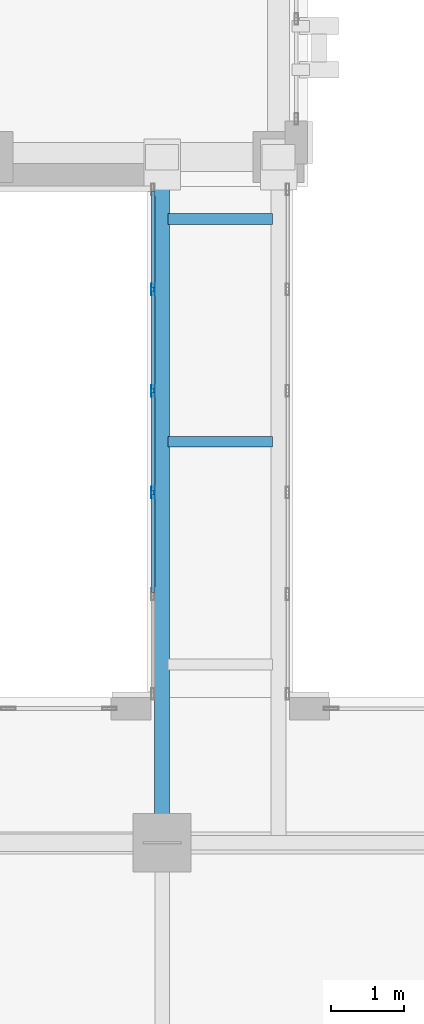
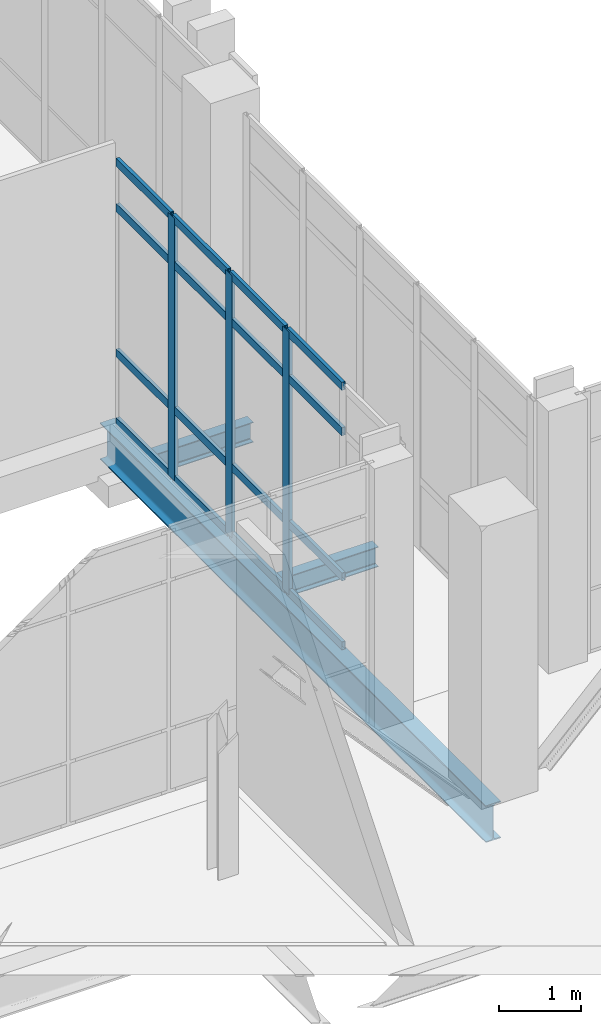
# One storey, part 18 of 193: 19 members, 3 beams, 1 element without a shape of its own.
"""IFC4 building model written with IfcOpenShell, lengths in metres."""

import ifcopenshell
import ifcopenshell.guid

model = None  # the IFC model being written
_history = None  # IfcOwnerHistory: only IFC2X3 demands one
_inside = {}  # id of a spatial element -> (the spatial element, [elements in it])
_under = {}  # id of a project, library or spatial element -> (it, [spatial elements below it])
_declared = {}  # id of a project -> (the project, [libraries it declares])
_typed = {}  # id of a type object -> (the type object, [elements of that type])
_made_of = {}  # id of a material, layer set ... -> (it, [elements and type objects made of it])


def new_model(schema):
    """Start an empty IFC model of exactly this schema.

    Asked for "IFC4X3", IfcOpenShell would pick the latest addendum, in which some entities
    have other attributes; the version numbers below select the first issue.
    IFC2X3 requires an IfcOwnerHistory on every rooted entity: one is made here for all.
    """
    global model, _history
    if schema == "IFC4X3":
        model = ifcopenshell.file(schema_version=(4, 3, 0, 0))
    else:
        model = ifcopenshell.file(schema=schema)
    _inside.clear()
    _under.clear()
    _declared.clear()
    _typed.clear()
    _made_of.clear()
    _history = None
    if model.schema == "IFC2X3":
        org = make("IfcOrganization", Name="unknown")
        user = make(
            "IfcPersonAndOrganization",
            ThePerson=make("IfcPerson", FamilyName="unknown"),
            TheOrganization=org,
        )
        app = make(
            "IfcApplication",
            ApplicationDeveloper=org,
            Version="unknown",
            ApplicationFullName="unknown",
            ApplicationIdentifier="unknown",
        )
        _history = make(
            "IfcOwnerHistory",
            OwningUser=user,
            OwningApplication=app,
            ChangeAction="ADDED",
            CreationDate=0,
        )
    return model


def make(cls, **values):
    """One entity of the class cls with the attributes given. An attribute that is None is left unset."""
    return model.create_entity(
        cls, **{name: value for name, value in values.items() if value is not None}
    )


def rooted(cls, **values):
    """An entity with a GlobalId (a new one), such as an element, a storey or a relation."""
    return make(cls, GlobalId=ifcopenshell.guid.new(), OwnerHistory=_history, **values)


def si_unit(unit_type, name, prefix=None):
    """IfcSIUnit, for example si_unit("LENGTHUNIT", "METRE", prefix="MILLI")."""
    return make("IfcSIUnit", UnitType=unit_type, Prefix=prefix, Name=name)


def assignment(units):
    """IfcUnitAssignment: the units of a project."""
    return None if units is None else make("IfcUnitAssignment", Units=units)


def point(xyz):
    """IfcCartesianPoint."""
    return None if xyz is None else make("IfcCartesianPoint", Coordinates=xyz)


def direction(xyz):
    """IfcDirection."""
    return None if xyz is None else make("IfcDirection", DirectionRatios=xyz)


def frame(location, z_axis=None, x_axis=None):
    """IfcAxis2Placement3D, a coordinate frame: its origin and axes. An axis left out is left unset."""
    return make(
        "IfcAxis2Placement3D",
        Location=point(location),
        Axis=direction(z_axis),
        RefDirection=direction(x_axis),
    )


def frame_2d(location, x_axis=None):
    """IfcAxis2Placement2D, a coordinate frame in the plane: its origin and x axis."""
    return make(
        "IfcAxis2Placement2D", Location=point(location), RefDirection=direction(x_axis)
    )


def origin():
    """The frame at (0, 0, 0) with its axes left unset."""
    return frame((0.0, 0.0, 0.0))


def origin_2d():
    """The frame at (0, 0) in the plane with its x axis left unset."""
    return frame_2d((0.0, 0.0))


def place(relative_to, where):
    """IfcLocalPlacement: puts the frame where relative to a parent placement (None: the world)."""
    return make(
        "IfcLocalPlacement", PlacementRelTo=relative_to, RelativePlacement=where
    )


def context(
    kind, dimensions, precision=None, world=None, true_north=None, identifier=None
):
    """IfcGeometricRepresentationContext, for example the 3D "Model" context."""
    return make(
        "IfcGeometricRepresentationContext",
        ContextIdentifier=identifier,
        ContextType=kind,
        CoordinateSpaceDimension=dimensions,
        Precision=precision,
        WorldCoordinateSystem=world,
        TrueNorth=true_north,
    )


def subcontext(parent, identifier, kind, view, scale=None):
    """IfcGeometricRepresentationSubContext, for example "Body" below "Model"."""
    return make(
        "IfcGeometricRepresentationSubContext",
        ContextIdentifier=identifier,
        ContextType=kind,
        ParentContext=parent,
        TargetScale=scale,
        TargetView=view,
    )


def project(units=None, contexts=None):
    """IfcProject with its units and contexts."""
    return rooted(
        "IfcProject",
        Name="project",
        RepresentationContexts=contexts,
        UnitsInContext=assignment(units),
    )


def spatial(cls, under=None, at=None, **own):
    """A site, building, storey or space (cls), placed at a placement, below another one or the project."""
    s = rooted(cls, ObjectPlacement=at, **own)
    if under is not None:
        _under.setdefault(under.id(), (under, []))[1].append(s)
    return s


def profile(cls, at=None, kind="AREA", **sizes):
    """A parametric profile (cls). Its sizes go by their IFC names, for example OverallWidth=200.0."""
    return make(cls, ProfileType=kind, Position=at, **sizes)


def hollow_rectangle(**sizes):
    """IfcRectangleHollowProfileDef."""
    return profile("IfcRectangleHollowProfileDef", **sizes)


def i_section(**sizes):
    """IfcIShapeProfileDef."""
    return profile("IfcIShapeProfileDef", **sizes)


def extrude(swept, where, along, depth):
    """IfcExtrudedAreaSolid: the profile swept, set in the frame where, extruded along a direction by depth."""
    return make(
        "IfcExtrudedAreaSolid",
        SweptArea=swept,
        Position=where,
        ExtrudedDirection=direction(along),
        Depth=depth,
    )


def shape(context_of_items, identifier, shape_type, items):
    """IfcShapeRepresentation: the items that make up one representation, for example the "Body"."""
    return make(
        "IfcShapeRepresentation",
        ContextOfItems=context_of_items,
        RepresentationIdentifier=identifier,
        RepresentationType=shape_type,
        Items=items,
    )


def material(Name=None, Category=None):
    """IfcMaterial."""
    return make("IfcMaterial", Name=Name, Category=Category)


def layer(
    of_material, thickness, ventilated=None, Name=None, Category=None, Priority=None
):
    """IfcMaterialLayer: one layer of a wall or slab, of a material (None: an air gap)."""
    return make(
        "IfcMaterialLayer",
        Material=of_material,
        LayerThickness=thickness,
        IsVentilated=ventilated,
        Name=Name,
        Category=Category,
        Priority=Priority,
    )


def layer_set(layers, Name=None):
    """IfcMaterialLayerSet."""
    return make("IfcMaterialLayerSet", MaterialLayers=layers, LayerSetName=Name)


def material_profile(
    of_material, cross_section, Name=None, Category=None, Priority=None
):
    """IfcMaterialProfile: a cross section and its material."""
    return make(
        "IfcMaterialProfile",
        Name=Name,
        Material=of_material,
        Profile=cross_section,
        Priority=Priority,
        Category=Category,
    )


def profile_set(profiles, Name=None, composite=None):
    """IfcMaterialProfileSet."""
    return make(
        "IfcMaterialProfileSet",
        Name=Name,
        MaterialProfiles=profiles,
        CompositeProfile=composite,
    )


def made_of(thing, what):
    """Note that an element or type object is made of a material, layer set ...; save() writes the relation."""
    if what is not None:
        _made_of.setdefault(what.id(), (what, []))[1].append(thing)
    return thing


def type_object(cls, material=None, **own):
    """A type object (cls), such as IfcWallType, which elements share."""
    return made_of(rooted(cls, **own), material)


def element(
    cls,
    number,
    at=None,
    inside=None,
    cuts=None,
    type_object=None,
    material=None,
    context=None,
    identifier="Body",
    shape_type=None,
    held_by="IfcProductDefinitionShape",
    body=None,
    shapes=None,
    **own,
):
    """One element of the class cls, such as IfcWall. Its Tag is "e" and its number.

    at: its placement. inside: the storey or other place that contains it. cuts: it is an
    opening in that element (IfcRelVoidsElement). A single representation is given by context,
    identifier, shape_type and body (its items); several are given by shapes. held_by: the class
    of the entity that holds the representations. save() writes the other relations.
    """
    e = rooted(cls, Tag="e%d" % number, ObjectPlacement=at, **own)
    if body is not None:
        shapes = [shape(context, identifier, shape_type, body)]
    if shapes is not None:
        e.Representation = make(held_by, Representations=shapes)
    if inside is not None:
        _inside.setdefault(inside.id(), (inside, []))[1].append(e)
    if cuts is not None:
        rooted(
            "IfcRelVoidsElement", RelatingBuildingElement=cuts, RelatedOpeningElement=e
        )
    if type_object is not None:
        _typed.setdefault(type_object.id(), (type_object, []))[1].append(e)
    return made_of(e, material)


def aggregate(whole, parts):
    """IfcRelAggregates: a whole, such as a stair, and the parts it consists of."""
    return rooted("IfcRelAggregates", RelatingObject=whole, RelatedObjects=parts)


def save(model, path):
    """Write the relations noted so far, then the file.

    IfcRelAggregates (storeys below a building ...), IfcRelContainedInSpatialStructure (elements
    in a storey), IfcRelDefinesByType, IfcRelAssociatesMaterial and IfcRelDeclares: one each for
    every whole, place, type object, material and project.
    """
    for whole, parts in _under.values():
        aggregate(whole, parts)
    for where, things in _inside.values():
        rooted(
            "IfcRelContainedInSpatialStructure",
            RelatedElements=things,
            RelatingStructure=where,
        )
    for kind, things in _typed.values():
        rooted("IfcRelDefinesByType", RelatedObjects=things, RelatingType=kind)
    for what, things in _made_of.values():
        rooted("IfcRelAssociatesMaterial", RelatedObjects=things, RelatingMaterial=what)
    for by, libraries in _declared.values():
        rooted("IfcRelDeclares", RelatingContext=by, RelatedDefinitions=libraries)
    model.write(path)


model = new_model("IFC4")

# Units and contexts
model_context = context("Model", 3, precision=1e-05, world=origin(), true_north=direction((0.0, 1.0)))
body_context = subcontext(model_context, "Body", "Model", "MODEL_VIEW")
ifc_project = project(units=[si_unit("LENGTHUNIT", "METRE"), si_unit("AREAUNIT", "SQUARE_METRE"), si_unit("VOLUMEUNIT", "CUBIC_METRE"), si_unit("PLANEANGLEUNIT", "RADIAN"), si_unit("MASSUNIT", "GRAM", prefix="KILO")], contexts=[model_context])

# Site, building, storey
site_placement = place(None, origin())
site = spatial("IfcSite", under=ifc_project, at=site_placement, CompositionType="ELEMENT")
building_placement = place(site_placement, origin())
building = spatial("IfcBuilding", under=site, at=building_placement, Name="Qalavern Law Courts", CompositionType="ELEMENT")
storey_placement = place(building_placement, frame((0.0, 0.0, 10.199951171875)))
storey = spatial("IfcBuildingStorey", under=building, at=storey_placement, Name="L02", CompositionType="ELEMENT", Elevation=10.199951171875)

# Curtain wall, members
ifc_material_1 = material(Name="Anodised aluminium and insulated glazing", Category="aluminium")
ifc_layer = layer(ifc_material_1, 0.14990234375)
ifc_layer_set = layer_set([ifc_layer], Name="Anodised aluminium and insulated glazing")
curtain_wall_type = type_object("IfcCurtainWallType", Name="ENV-CW-BRG", PredefinedType="USERDEFINED", material=ifc_layer_set)
curtain_wall_placement = place(storey_placement, origin())
curtain_wall = element("IfcCurtainWall", 1, at=curtain_wall_placement, inside=storey, type_object=curtain_wall_type, Name="Bridge BR-V1-V3 glazed curtain wall L02-1", ObjectType="UNITISED CURTAIN WALL", PredefinedType="USERDEFINED")
ifc_material_2 = material(Name="Anodised aluminium", Category="aluminium")
ifc_material_profile_1 = material_profile(ifc_material_2, hollow_rectangle(XDim=0.048095703125, YDim=0.159912109375, WallThickness=0.00390625, at=origin_2d()), Name="ALU MULLION 48x160")
ifc_profile_set_1 = profile_set([ifc_material_profile_1], Name="Anodised aluminium")
member_type_1 = type_object("IfcMemberType", Name="ENV-CWM-48x160", PredefinedType="MULLION", material=ifc_profile_set_1)
member_1_placement = place(storey_placement, frame((16.675048828125, 39.60400390625, 0.0), z_axis=(0.0, 0.0, 1.0), x_axis=(1.0, 0.0, 0.0)))
member_1 = element("IfcMember", 2, at=member_1_placement, type_object=member_type_1, Name="CW-06 mullion 2", PredefinedType="MULLION", context=body_context, shape_type="SweptSolid", body=[
    extrude(hollow_rectangle(XDim=0.048095703125, YDim=0.159912109375, WallThickness=0.00390625, at=origin_2d()), origin(), (0.0, 0.0, 1.0), 3.9150390625),
])
member_2_placement = place(storey_placement, frame((16.675048828125, 38.2080078125, 0.0), z_axis=(0.0, 0.0, 1.0), x_axis=(1.0, 0.0, 0.0)))
member_2 = element("IfcMember", 3, at=member_2_placement, type_object=member_type_1, Name="CW-06 mullion 3", PredefinedType="MULLION", context=body_context, shape_type="SweptSolid", body=[
    extrude(hollow_rectangle(XDim=0.048095703125, YDim=0.159912109375, WallThickness=0.00390625, at=origin_2d()), origin(), (0.0, 0.0, 1.0), 3.9150390625),
])
member_3_placement = place(storey_placement, frame((16.675048828125, 36.81201171875, 0.0), z_axis=(0.0, 0.0, 1.0), x_axis=(1.0, 0.0, 0.0)))
member_3 = element("IfcMember", 4, at=member_3_placement, type_object=member_type_1, Name="CW-06 mullion 4", PredefinedType="MULLION", context=body_context, shape_type="SweptSolid", body=[
    extrude(hollow_rectangle(XDim=0.048095703125, YDim=0.159912109375, WallThickness=0.00390625, at=origin_2d()), origin(), (0.0, 0.0, 1.0), 3.9150390625),
])
ifc_material_profile_2 = material_profile(ifc_material_2, hollow_rectangle(XDim=0.048095703125, YDim=0.1201171875, WallThickness=0.00390625, at=origin_2d()), Name="ALU TRANSOM 48x120")
ifc_profile_set_2 = profile_set([ifc_material_profile_2], Name="Anodised aluminium")
member_type_2 = type_object("IfcMemberType", Name="ENV-CWT-48x120", PredefinedType="USERDEFINED", material=ifc_profile_set_2)
member_4_placement = place(storey_placement, frame((16.675048828125, 40.951904296875, 0.024169921875), z_axis=(0.0, -1.0, 0.0), x_axis=(1.0, 0.0, 0.0)))
member_4 = element("IfcMember", 5, at=member_4_placement, type_object=member_type_2, Name="CW-06 transom 1.1", ObjectType="TRANSOM", PredefinedType="USERDEFINED", context=body_context, shape_type="SweptSolid", body=[
    extrude(hollow_rectangle(XDim=0.048095703125, YDim=0.1201171875, WallThickness=0.00390625, at=origin_2d()), origin(), (0.0, 0.0, 1.0), 1.323974609375),
])
member_5_placement = place(storey_placement, frame((16.675048828125, 40.951904296875, 1.050048828125), z_axis=(0.0, -1.0, 0.0), x_axis=(1.0, 0.0, 0.0)))
member_5 = element("IfcMember", 6, at=member_5_placement, type_object=member_type_2, Name="CW-06 transom 1.2", ObjectType="TRANSOM", PredefinedType="USERDEFINED", context=body_context, shape_type="SweptSolid", body=[
    extrude(hollow_rectangle(XDim=0.048095703125, YDim=0.1201171875, WallThickness=0.00390625, at=origin_2d()), origin(), (0.0, 0.0, 1.0), 1.323974609375),
])
member_6_placement = place(storey_placement, frame((16.675048828125, 40.951904296875, 3.215087890625), z_axis=(0.0, -1.0, 0.0), x_axis=(1.0, 0.0, 0.0)))
member_6 = element("IfcMember", 7, at=member_6_placement, type_object=member_type_2, Name="CW-06 transom 1.3", ObjectType="TRANSOM", PredefinedType="USERDEFINED", context=body_context, shape_type="SweptSolid", body=[
    extrude(hollow_rectangle(XDim=0.048095703125, YDim=0.1201171875, WallThickness=0.00390625, at=origin_2d()), origin(), (0.0, 0.0, 1.0), 1.323974609375),
])
member_7_placement = place(storey_placement, frame((16.675048828125, 40.951904296875, 3.89111328125), z_axis=(0.0, -1.0, 0.0), x_axis=(1.0, 0.0, 0.0)))
member_7 = element("IfcMember", 8, at=member_7_placement, type_object=member_type_2, Name="CW-06 transom 1.4", ObjectType="TRANSOM", PredefinedType="USERDEFINED", context=body_context, shape_type="SweptSolid", body=[
    extrude(hollow_rectangle(XDim=0.048095703125, YDim=0.1201171875, WallThickness=0.00390625, at=origin_2d()), origin(), (0.0, 0.0, 1.0), 1.323974609375),
])
member_8_placement = place(storey_placement, frame((16.675048828125, 39.580078125, 0.024169921875), z_axis=(0.0, -1.0, 0.0), x_axis=(1.0, 0.0, 0.0)))
member_8 = element("IfcMember", 9, at=member_8_placement, type_object=member_type_2, Name="CW-06 transom 2.1", ObjectType="TRANSOM", PredefinedType="USERDEFINED", context=body_context, shape_type="SweptSolid", body=[
    extrude(hollow_rectangle(XDim=0.048095703125, YDim=0.1201171875, WallThickness=0.00390625, at=origin_2d()), origin(), (0.0, 0.0, 1.0), 1.34814453125),
])
member_9_placement = place(storey_placement, frame((16.675048828125, 39.580078125, 1.050048828125), z_axis=(0.0, -1.0, 0.0), x_axis=(1.0, 0.0, 0.0)))
member_9 = element("IfcMember", 10, at=member_9_placement, type_object=member_type_2, Name="CW-06 transom 2.2", ObjectType="TRANSOM", PredefinedType="USERDEFINED", context=body_context, shape_type="SweptSolid", body=[
    extrude(hollow_rectangle(XDim=0.048095703125, YDim=0.1201171875, WallThickness=0.00390625, at=origin_2d()), origin(), (0.0, 0.0, 1.0), 1.34814453125),
])
member_10_placement = place(storey_placement, frame((16.675048828125, 39.580078125, 3.215087890625), z_axis=(0.0, -1.0, 0.0), x_axis=(1.0, 0.0, 0.0)))
member_10 = element("IfcMember", 11, at=member_10_placement, type_object=member_type_2, Name="CW-06 transom 2.3", ObjectType="TRANSOM", PredefinedType="USERDEFINED", context=body_context, shape_type="SweptSolid", body=[
    extrude(hollow_rectangle(XDim=0.048095703125, YDim=0.1201171875, WallThickness=0.00390625, at=origin_2d()), origin(), (0.0, 0.0, 1.0), 1.34814453125),
])
member_11_placement = place(storey_placement, frame((16.675048828125, 39.580078125, 3.89111328125), z_axis=(0.0, -1.0, 0.0), x_axis=(1.0, 0.0, 0.0)))
member_11 = element("IfcMember", 12, at=member_11_placement, type_object=member_type_2, Name="CW-06 transom 2.4", ObjectType="TRANSOM", PredefinedType="USERDEFINED", context=body_context, shape_type="SweptSolid", body=[
    extrude(hollow_rectangle(XDim=0.048095703125, YDim=0.1201171875, WallThickness=0.00390625, at=origin_2d()), origin(), (0.0, 0.0, 1.0), 1.34814453125),
])
member_12_placement = place(storey_placement, frame((16.675048828125, 38.18408203125, 0.024169921875), z_axis=(0.0, -1.0, 0.0), x_axis=(1.0, 0.0, 0.0)))
member_12 = element("IfcMember", 13, at=member_12_placement, type_object=member_type_2, Name="CW-06 transom 3.1", ObjectType="TRANSOM", PredefinedType="USERDEFINED", context=body_context, shape_type="SweptSolid", body=[
    extrude(hollow_rectangle(XDim=0.048095703125, YDim=0.1201171875, WallThickness=0.00390625, at=origin_2d()), origin(), (0.0, 0.0, 1.0), 1.34814453125),
])
member_13_placement = place(storey_placement, frame((16.675048828125, 38.18408203125, 1.050048828125), z_axis=(0.0, -1.0, 0.0), x_axis=(1.0, 0.0, 0.0)))
member_13 = element("IfcMember", 14, at=member_13_placement, type_object=member_type_2, Name="CW-06 transom 3.2", ObjectType="TRANSOM", PredefinedType="USERDEFINED", context=body_context, shape_type="SweptSolid", body=[
    extrude(hollow_rectangle(XDim=0.048095703125, YDim=0.1201171875, WallThickness=0.00390625, at=origin_2d()), origin(), (0.0, 0.0, 1.0), 1.34814453125),
])
member_14_placement = place(storey_placement, frame((16.675048828125, 38.18408203125, 3.215087890625), z_axis=(0.0, -1.0, 0.0), x_axis=(1.0, 0.0, 0.0)))
member_14 = element("IfcMember", 15, at=member_14_placement, type_object=member_type_2, Name="CW-06 transom 3.3", ObjectType="TRANSOM", PredefinedType="USERDEFINED", context=body_context, shape_type="SweptSolid", body=[
    extrude(hollow_rectangle(XDim=0.048095703125, YDim=0.1201171875, WallThickness=0.00390625, at=origin_2d()), origin(), (0.0, 0.0, 1.0), 1.34814453125),
])
member_15_placement = place(storey_placement, frame((16.675048828125, 38.18408203125, 3.89111328125), z_axis=(0.0, -1.0, 0.0), x_axis=(1.0, 0.0, 0.0)))
member_15 = element("IfcMember", 16, at=member_15_placement, type_object=member_type_2, Name="CW-06 transom 3.4", ObjectType="TRANSOM", PredefinedType="USERDEFINED", context=body_context, shape_type="SweptSolid", body=[
    extrude(hollow_rectangle(XDim=0.048095703125, YDim=0.1201171875, WallThickness=0.00390625, at=origin_2d()), origin(), (0.0, 0.0, 1.0), 1.34814453125),
])
member_16_placement = place(storey_placement, frame((16.675048828125, 36.7880859375, 0.024169921875), z_axis=(0.0, -1.0, 0.0), x_axis=(1.0, 0.0, 0.0)))
member_16 = element("IfcMember", 17, at=member_16_placement, type_object=member_type_2, Name="CW-06 transom 4.1", ObjectType="TRANSOM", PredefinedType="USERDEFINED", context=body_context, shape_type="SweptSolid", body=[
    extrude(hollow_rectangle(XDim=0.048095703125, YDim=0.1201171875, WallThickness=0.00390625, at=origin_2d()), origin(), (0.0, 0.0, 1.0), 1.34814453125),
])
member_17_placement = place(storey_placement, frame((16.675048828125, 36.7880859375, 1.050048828125), z_axis=(0.0, -1.0, 0.0), x_axis=(1.0, 0.0, 0.0)))
member_17 = element("IfcMember", 18, at=member_17_placement, type_object=member_type_2, Name="CW-06 transom 4.2", ObjectType="TRANSOM", PredefinedType="USERDEFINED", context=body_context, shape_type="SweptSolid", body=[
    extrude(hollow_rectangle(XDim=0.048095703125, YDim=0.1201171875, WallThickness=0.00390625, at=origin_2d()), origin(), (0.0, 0.0, 1.0), 1.34814453125),
])
member_18_placement = place(storey_placement, frame((16.675048828125, 36.7880859375, 3.215087890625), z_axis=(0.0, -1.0, 0.0), x_axis=(1.0, 0.0, 0.0)))
member_18 = element("IfcMember", 19, at=member_18_placement, type_object=member_type_2, Name="CW-06 transom 4.3", ObjectType="TRANSOM", PredefinedType="USERDEFINED", context=body_context, shape_type="SweptSolid", body=[
    extrude(hollow_rectangle(XDim=0.048095703125, YDim=0.1201171875, WallThickness=0.00390625, at=origin_2d()), origin(), (0.0, 0.0, 1.0), 1.34814453125),
])
member_19_placement = place(storey_placement, frame((16.675048828125, 36.7880859375, 3.89111328125), z_axis=(0.0, -1.0, 0.0), x_axis=(1.0, 0.0, 0.0)))
member_19 = element("IfcMember", 20, at=member_19_placement, type_object=member_type_2, Name="CW-06 transom 4.4", ObjectType="TRANSOM", PredefinedType="USERDEFINED", context=body_context, shape_type="SweptSolid", body=[
    extrude(hollow_rectangle(XDim=0.048095703125, YDim=0.1201171875, WallThickness=0.00390625, at=origin_2d()), origin(), (0.0, 0.0, 1.0), 1.34814453125),
])
aggregate(curtain_wall, [member_1, member_2, member_3, member_4, member_5, member_6, member_7, member_8, member_9, member_10, member_11, member_12, member_13, member_14, member_15, member_16, member_17, member_18, member_19])

# Beams
ifc_material_3 = material(Name="Steel S355", Category="steel")
ifc_material_profile_3 = material_profile(ifc_material_3, i_section(OverallWidth=0.2099609375, OverallDepth=0.550048828125, WebThickness=0.010986328125, FlangeThickness=0.01708984375, FilletRadius=0.02392578125, at=origin_2d()), Name="IPE 550")
ifc_profile_set_3 = profile_set([ifc_material_profile_3], Name="Steel S355")
beam_type_1 = type_object("IfcBeamType", Name="STR-BM-IPE550", PredefinedType="BEAM", material=ifc_profile_set_3)
beam_placement = place(storey_placement, frame((16.800048828125, 32.0, -0.56494140625), z_axis=(0.0, 1.0, 0.0), x_axis=(-1.0, 0.0, 0.0)))
element("IfcBeam", 21, at=beam_placement, inside=storey, type_object=beam_type_1, Name="Bridge BR-V1-V3 edge girder 1 L02", PredefinedType="BEAM", context=body_context, shape_type="SweptSolid", body=[
    extrude(i_section(OverallWidth=0.2099609375, OverallDepth=0.550048828125, WebThickness=0.010986328125, FlangeThickness=0.01708984375, FilletRadius=0.02392578125, at=origin_2d()), origin(), (0.0, 0.0, 1.0), 9.419921875),
])
ifc_material_profile_4 = material_profile(ifc_material_3, i_section(OverallWidth=0.14990234375, OverallDepth=0.300048828125, WebThickness=0.007080078125, FlangeThickness=0.0107421875, FilletRadius=0.014892578125, at=origin_2d()), Name="IPE 300")
ifc_profile_set_4 = profile_set([ifc_material_profile_4], Name="Steel S355")
beam_type_2 = type_object("IfcBeamType", Name="STR-JST-IPE300", PredefinedType="JOIST", material=ifc_profile_set_4)
for number, where, z_axis, x_axis, name in (
    (22, (16.8798828125, 37.510009765625, -0.43994140625), (1.0, 0.0, 0.0), (0.0, 1.0, 0.0), "Bridge BR-V1-V3 cross beam 2 L02"),
    (23, (16.8798828125, 40.570068359375, -0.43994140625), (1.0, 0.0, 0.0), (0.0, 1.0, 0.0), "Bridge BR-V1-V3 cross beam 3 L02"),
):
    element("IfcBeam", number, at=place(storey_placement, frame(where, z_axis=z_axis, x_axis=x_axis)), inside=storey, type_object=beam_type_2, Name=name, PredefinedType="JOIST", context=body_context, shape_type="SweptSolid", body=[
        extrude(i_section(OverallWidth=0.14990234375, OverallDepth=0.300048828125, WebThickness=0.007080078125, FlangeThickness=0.0107421875, FilletRadius=0.014892578125, at=origin_2d()), origin(), (0.0, 0.0, 1.0), 1.440185546875),
    ])

save(model, "model.ifc")
